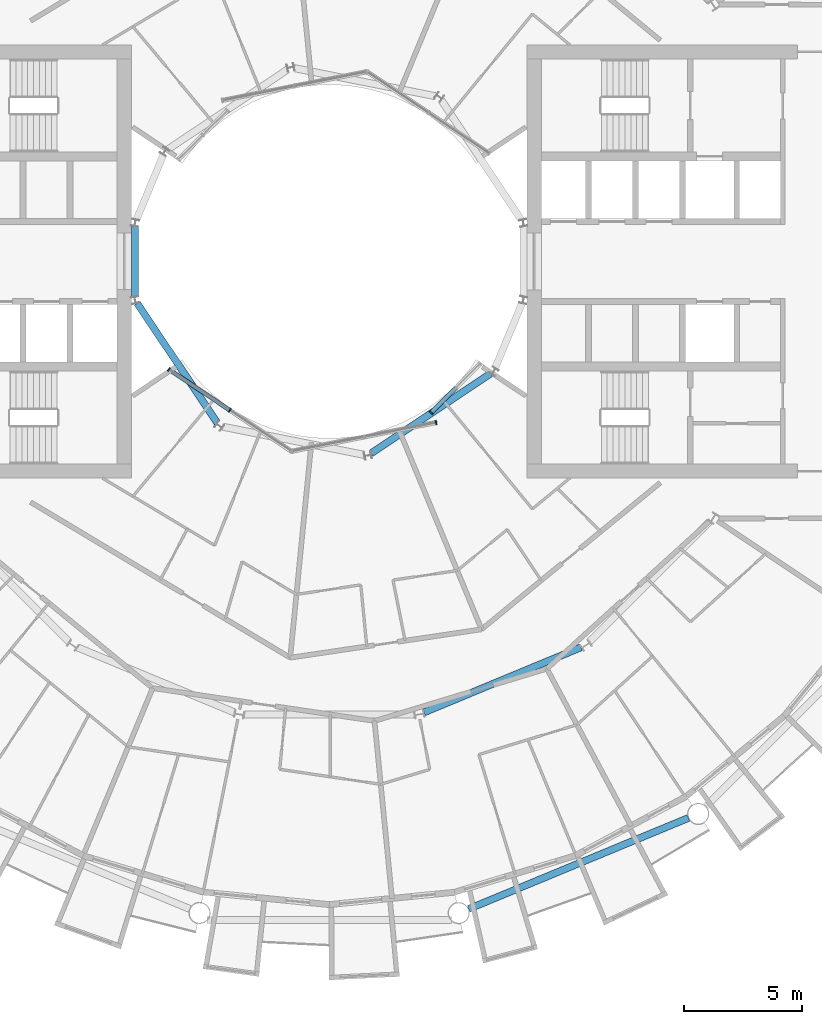
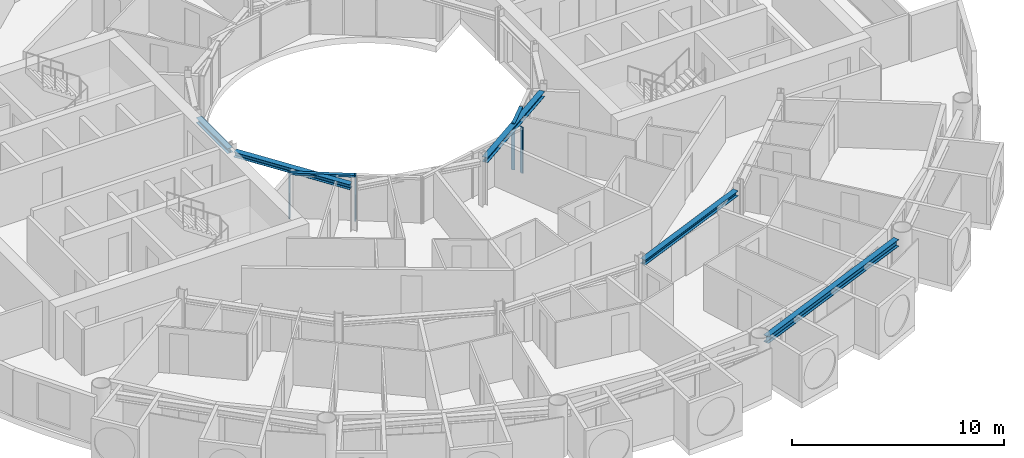
# One storey, part 6 of 27: 6 members, 5 beams, 3 elements without a shape of their own.
"""IFC4 building model written with IfcOpenShell, lengths in metres."""

from ifc_helpers import new_model, si_unit, direction, frame, origin, origin_2d, place, context, subcontext, project, spatial, rectangle, i_section, extrude, material, layer, layer_set, material_profile, profile_set, type_object, element, aggregate, save


model = new_model("IFC4")

# Units and contexts
model_context = context("Model", 3, precision=1e-05, world=origin(), true_north=direction((0.0, 1.0)))
body_context = subcontext(model_context, "Body", "Model", "MODEL_VIEW")
ifc_project = project(units=[si_unit("LENGTHUNIT", "METRE"), si_unit("AREAUNIT", "SQUARE_METRE"), si_unit("VOLUMEUNIT", "CUBIC_METRE"), si_unit("PLANEANGLEUNIT", "RADIAN"), si_unit("MASSUNIT", "GRAM", prefix="KILO")], contexts=[model_context])

# Site, building, storey
site_placement = place(None, origin())
site = spatial("IfcSite", under=ifc_project, at=site_placement, CompositionType="ELEMENT")
building_placement = place(site_placement, origin())
building = spatial("IfcBuilding", under=site, at=building_placement, Name="Maasbend Ring Residences", CompositionType="ELEMENT")
storey_placement = place(building_placement, frame((0.0, 0.0, 136.050048828125)))
storey = spatial("IfcBuildingStorey", under=building, at=storey_placement, Name="L39", CompositionType="ELEMENT", Elevation=136.050048828125)

# Curtain wall, members
ifc_material_1 = material(Name="Aluminium and clear glass", Category="aluminium")
ifc_layer = layer(ifc_material_1, 0.179931640625)
ifc_layer_set = layer_set([ifc_layer], Name="CW-W")
curtain_wall_type = type_object("IfcCurtainWallType", Name="CW-W", PredefinedType="NOTDEFINED", material=ifc_layer_set)
curtain_wall_1_placement = place(storey_placement, origin())
curtain_wall_1 = element("IfcCurtainWall", 1, at=curtain_wall_1_placement, inside=storey, type_object=curtain_wall_type, Name="Well curtain wall S1", PredefinedType="NOTDEFINED")
ifc_material_2 = material(Name="Aluminium 6063-T6", Category="aluminium")
ifc_material_profile_1 = material_profile(ifc_material_2, rectangle(XDim=0.179931640625, YDim=0.06005859375, at=origin_2d()), Name="AL 180x60")
ifc_profile_set_1 = profile_set([ifc_material_profile_1], Name="Aluminium 6063-T6")
member_type_1 = type_object("IfcMemberType", Name="CWM-W", PredefinedType="MULLION", material=ifc_profile_set_1)
member_1_placement = place(storey_placement, frame((-6.805908203125, -4.580810546875, 0.0), z_axis=(0.0, 0.0, 1.0), x_axis=(0.55557023302, 0.831469612303, 0.0)))
member_1 = element("IfcMember", 2, at=member_1_placement, type_object=member_type_1, Name="Mullion well face", PredefinedType="MULLION", context=body_context, shape_type="SweptSolid", body=[
    extrude(rectangle(XDim=0.179931640625, YDim=0.06005859375, at=origin_2d()), origin(), (0.0, 0.0, 1.0), 2.64990234375),
])
member_2_placement = place(storey_placement, frame((-4.216796875, -6.310791015625, 0.0), z_axis=(0.0, 0.0, 1.0), x_axis=(0.55557023302, 0.831469612303, 0.0)))
member_2 = element("IfcMember", 3, at=member_2_placement, type_object=member_type_1, Name="Mullion well face", PredefinedType="MULLION", context=body_context, shape_type="SweptSolid", body=[
    extrude(rectangle(XDim=0.179931640625, YDim=0.06005859375, at=origin_2d()), origin(), (0.0, 0.0, 1.0), 2.64990234375),
])

# Curtain wall, member
curtain_wall_2_placement = place(storey_placement, origin())
curtain_wall_2 = element("IfcCurtainWall", 4, at=curtain_wall_2_placement, inside=storey, type_object=curtain_wall_type, Name="Well curtain wall S2", PredefinedType="NOTDEFINED")
member_3_placement = place(storey_placement, frame((4.53466796875, -6.836669921875, 0.0), z_axis=(0.0, 0.0, 1.0), x_axis=(-0.195090322016, 0.980785280403, 0.0)))
member_3 = element("IfcMember", 5, at=member_3_placement, type_object=member_type_1, Name="Mullion well face", PredefinedType="MULLION", context=body_context, shape_type="SweptSolid", body=[
    extrude(rectangle(XDim=0.179931640625, YDim=0.06005859375, at=origin_2d()), origin(), (0.0, 0.0, 1.0), 2.64990234375),
])
aggregate(curtain_wall_2, [member_3])

curtain_wall_3_placement = place(storey_placement, origin())
curtain_wall_3 = element("IfcCurtainWall", 6, at=curtain_wall_3_placement, inside=storey, type_object=curtain_wall_type, Name="Well curtain wall S3", PredefinedType="NOTDEFINED")
member_4_placement = place(storey_placement, frame((4.320556640625, -6.413330078125, 0.0), z_axis=(0.0, 0.0, 1.0), x_axis=(-0.707106781187, 0.707106781187, 0.0)))
member_4 = element("IfcMember", 7, at=member_4_placement, type_object=member_type_1, Name="Mullion well face", PredefinedType="MULLION", context=body_context, shape_type="SweptSolid", body=[
    extrude(rectangle(XDim=0.179931640625, YDim=0.06005859375, at=origin_2d()), origin(), (0.0, 0.0, 1.0), 2.64990234375),
])

# Member
ifc_material_3 = material(Name="Aluminium 6063-T6", Category="aluminium")
ifc_material_profile_2 = material_profile(ifc_material_3, rectangle(XDim=0.179931640625, YDim=0.1201171875, at=origin_2d()), Name="AL 180x120")
ifc_profile_set_2 = profile_set([ifc_material_profile_2], Name="Aluminium 6063-T6")
member_type_2 = type_object("IfcMemberType", Name="CWT-W", PredefinedType="USERDEFINED", material=ifc_profile_set_2)
member_5_placement = place(storey_placement, frame((-6.781005859375, -4.59765625, 2.58984375), z_axis=(0.831496422459, -0.555530106689, 0.0), x_axis=(0.555530106689, 0.831496422459, 0.0)))
member_5 = element("IfcMember", 8, at=member_5_placement, type_object=member_type_2, Name="Transom well face", ObjectType="TRANSOM", PredefinedType="USERDEFINED", context=body_context, shape_type="SweptSolid", body=[
    extrude(rectangle(XDim=0.179931640625, YDim=0.1201171875, at=origin_2d()), origin(), (0.0, 0.0, 1.0), 3.053955078125),
])

aggregate(curtain_wall_1, [member_1, member_2, member_5])

member_6_placement = place(storey_placement, frame((4.341796875, -6.39208984375, 2.58984375), z_axis=(0.707106781187, 0.707106781187, 0.0), x_axis=(-0.707106781187, 0.707106781187, 0.0)))
member_6 = element("IfcMember", 9, at=member_6_placement, type_object=member_type_2, Name="Transom well face", ObjectType="TRANSOM", PredefinedType="USERDEFINED", context=body_context, shape_type="SweptSolid", body=[
    extrude(rectangle(XDim=0.179931640625, YDim=0.1201171875, at=origin_2d()), origin(), (0.0, 0.0, 1.0), 1.419677734375),
])

aggregate(curtain_wall_3, [member_4, member_6])

# Beams
ifc_material_4 = material(Name="Steel S355J2", Category="steel")
ifc_material_profile_3 = material_profile(ifc_material_4, i_section(OverallWidth=0.300048828125, OverallDepth=0.2900390625, WebThickness=0.008544921875, FlangeThickness=0.013916015625, FilletRadius=0.027099609375, at=origin_2d()), Name="HEA 300")
ifc_profile_set_3 = profile_set([ifc_material_profile_3], Name="Steel S355J2")
beam_type_1 = type_object("IfcBeamType", Name="Corridor ring beam HEA 300", PredefinedType="BEAM", material=ifc_profile_set_3)
beam_1_placement = place(storey_placement, frame((4.02734375, -19.13916015625, 2.5048828125), z_axis=(0.923877693919, 0.382687871089, 0.0), x_axis=(-0.382687871089, 0.923877693919, 0.0)))
element("IfcBeam", 10, at=beam_1_placement, inside=storey, type_object=beam_type_1, Name="Corridor ring beam", PredefinedType="BEAM", context=body_context, shape_type="SweptSolid", body=[
    extrude(i_section(OverallWidth=0.300048828125, OverallDepth=0.2900390625, WebThickness=0.008544921875, FlangeThickness=0.013916015625, FilletRadius=0.027099609375, at=origin_2d()), origin(), (0.0, 0.0, 1.0), 7.20703125),
])
ifc_material_5 = material(Name="Steel S355J2", Category="steel")
ifc_material_profile_4 = material_profile(ifc_material_5, i_section(OverallWidth=0.300048828125, OverallDepth=0.39990234375, WebThickness=0.013427734375, FlangeThickness=0.02392578125, FilletRadius=0.027099609375, at=origin_2d()), Name="HEB 400")
ifc_profile_set_4 = profile_set([ifc_material_profile_4], Name="Steel S355J2")
beam_type_2 = type_object("IfcBeamType", Name="Spandrel ring beam HEB 400", PredefinedType="SPANDREL", material=ifc_profile_set_4)
beam_2_placement = place(storey_placement, frame((5.923583984375, -27.483154296875, 2.449951171875), z_axis=(0.92388529709, 0.382669515144, 0.0), x_axis=(-0.382669515144, 0.92388529709, 0.0)))
element("IfcBeam", 11, at=beam_2_placement, inside=storey, type_object=beam_type_2, Name="Spandrel ring beam", PredefinedType="SPANDREL", context=body_context, shape_type="SweptSolid", body=[
    extrude(i_section(OverallWidth=0.300048828125, OverallDepth=0.39990234375, WebThickness=0.013427734375, FlangeThickness=0.02392578125, FilletRadius=0.027099609375, at=origin_2d()), origin(), (0.0, 0.0, 1.0), 10.089111328125),
])
ifc_material_6 = material(Name="Steel S355J2", Category="steel")
ifc_material_profile_5 = material_profile(ifc_material_6, i_section(OverallWidth=0.300048828125, OverallDepth=0.2900390625, WebThickness=0.008544921875, FlangeThickness=0.013916015625, FilletRadius=0.027099609375, at=origin_2d()), Name="HEA 300")
ifc_profile_set_5 = profile_set([ifc_material_profile_5], Name="Steel S355J2")
beam_type_3 = type_object("IfcBeamType", Name="Well edge beam HEA 300", PredefinedType="BEAM", material=ifc_profile_set_5)
beam_3_placement = place(storey_placement, frame((-8.238525390625, 1.48583984375, 2.5048828125), z_axis=(0.0, -1.0, 0.0), x_axis=(1.0, 0.0, 0.0)))
element("IfcBeam", 12, at=beam_3_placement, inside=storey, type_object=beam_type_3, Name="Well edge beam", PredefinedType="BEAM", context=body_context, shape_type="SweptSolid", body=[
    extrude(i_section(OverallWidth=0.300048828125, OverallDepth=0.2900390625, WebThickness=0.008544921875, FlangeThickness=0.013916015625, FilletRadius=0.027099609375, at=origin_2d()), origin(), (0.0, 0.0, 1.0), 2.9716796875),
])
for number, where, z_axis, x_axis, name in (
    (13, (-8.1484375, -1.773681640625, 2.5048828125), (0.555558236289, -0.831477628137, 0.0), (0.831477628137, 0.555558236289, 0.0), "Well edge beam"),
    (14, (1.773681640625, -8.1484375, 2.5048828125), (0.831477628137, 0.555558236289, 0.0), (-0.555558236289, 0.831477628137, 0.0), "Well edge beam"),
):
    element("IfcBeam", number, at=place(storey_placement, frame(where, z_axis=z_axis, x_axis=x_axis)), inside=storey, type_object=beam_type_3, Name=name, PredefinedType="BEAM", context=body_context, shape_type="SweptSolid", body=[
        extrude(i_section(OverallWidth=0.300048828125, OverallDepth=0.2900390625, WebThickness=0.008544921875, FlangeThickness=0.013916015625, FilletRadius=0.027099609375, at=origin_2d()), origin(), (0.0, 0.0, 1.0), 6.1044921875),
    ])

save(model, "model.ifc")
